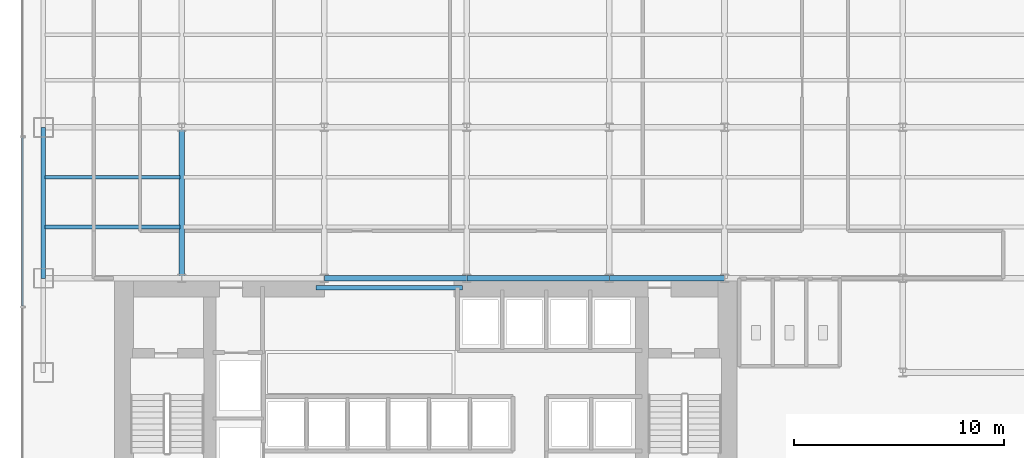
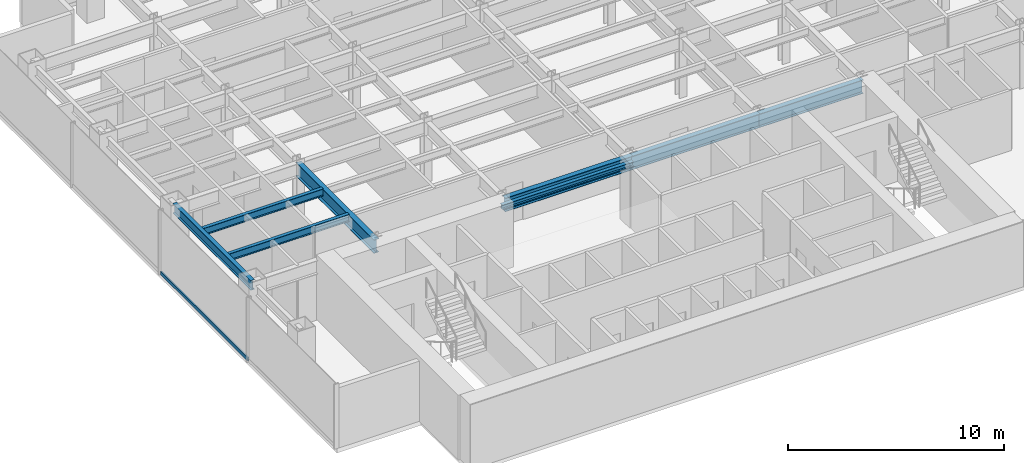
# One storey, part 3 of 23: 8 beams, 1 member, 1 element without a shape of its own.
"""IFC4 building model written with IfcOpenShell, lengths in metres."""

from ifc_helpers import new_model, si_unit, derived_unit, direction, frame, origin, origin_2d, place, context, subcontext, project, spatial, hollow_rectangle, i_section, extrude, source, transform, mapped, material, material_profile, profile_set, type_object, element, aggregate, save


model = new_model("IFC4")

# Units and contexts
model_context = context("Model", 3, precision=1e-05, world=origin(), true_north=direction((0.0, 1.0)))
body_context = subcontext(model_context, "Body", "Model", "MODEL_VIEW")
ifc_project = project(units=[si_unit("LENGTHUNIT", "METRE"), si_unit("AREAUNIT", "SQUARE_METRE"), si_unit("VOLUMEUNIT", "CUBIC_METRE"), si_unit("PLANEANGLEUNIT", "RADIAN"), si_unit("MASSUNIT", "GRAM", prefix="KILO"), derived_unit("THERMALTRANSMITTANCEUNIT", [(si_unit("POWERUNIT", "WATT"), 1), (si_unit("LENGTHUNIT", "METRE"), -2), (si_unit("THERMODYNAMICTEMPERATUREUNIT", "KELVIN"), -1)])], contexts=[model_context])

# Site, building, storey
site_placement = place(None, origin())
site = spatial("IfcSite", under=ifc_project, at=site_placement, CompositionType="ELEMENT")
building_placement = place(site_placement, origin())
building = spatial("IfcBuilding", under=site, at=building_placement, Name="Skarnbrae Concourse Arena and Tower", CompositionType="ELEMENT")
storey_placement = place(building_placement, frame((0.0, 0.0, 47.10009765625)))
storey = spatial("IfcBuildingStorey", under=building, at=storey_placement, Name="L10", CompositionType="ELEMENT", Elevation=47.10009765625)

# Beams
ifc_material_1 = material(Name="Steel CSA G40.21 350W", Category="steel")
ifc_material_profile_1 = material_profile(ifc_material_1, i_section(OverallWidth=0.202880859375, OverallDepth=0.251953125, WebThickness=0.008056640625, FlangeThickness=0.013427734375, at=origin_2d()), Name="W250X58")
ifc_profile_set_1 = profile_set([ifc_material_profile_1], Name="Steel CSA G40.21 350W")
beam_type_1 = type_object("IfcBeamType", Name="BM-LINTEL-W250X58", PredefinedType="LINTEL", material=ifc_profile_set_1)
shared_shape_1 = source(origin(), body_context, "Body", "SweptSolid", [
    extrude(i_section(OverallWidth=0.202880859375, OverallDepth=0.251953125, WebThickness=0.008056640625, FlangeThickness=0.013427734375, at=origin_2d()), origin(), (0.0, 0.0, 1.0), 7.0),
])
beam_1_placement = place(storey_placement, frame((14.0, 13.550048828125, 3.27392578125), z_axis=(1.0, 0.0, 0.0), x_axis=(0.0, 1.0, 0.0)))
element("IfcBeam", 1, at=beam_1_placement, inside=storey, type_object=beam_type_1, Name="L10 Core portal coupling lintel", PredefinedType="LINTEL", context=body_context, shape_type="MappedRepresentation", body=[
    mapped(shared_shape_1, transform((0.0, 0.0, 0.0))),
])
ifc_material_profile_2 = material_profile(ifc_material_1, i_section(OverallWidth=0.26806640625, OverallDepth=0.77001953125, WebThickness=0.015625, FlangeThickness=0.025390625, at=origin_2d()), Name="W760X196")
ifc_profile_set_2 = profile_set([ifc_material_profile_2], Name="Steel CSA G40.21 350W")
beam_type_2 = type_object("IfcBeamType", Name="BM-GIRD-W760X196", PredefinedType="BEAM", material=ifc_profile_set_2)
shared_shape_2 = source(origin(), body_context, "Body", "SweptSolid", [
    extrude(i_section(OverallWidth=0.26806640625, OverallDepth=0.77001953125, WebThickness=0.015625, FlangeThickness=0.025390625, at=origin_2d()), origin(), (0.0, 0.0, 1.0), 6.800048828125),
])
for number, where, z_axis, x_axis, name in (
    (2, (14.39990234375, 14.0, 3.014892578125), (1.0, 0.0, 0.0), (0.0, 1.0, 0.0), "L10 Primary E-W girder Y14.0-3"),
    (3, (21.199951171875, 14.0, 3.014892578125), (1.0, 0.0, 0.0), (0.0, 1.0, 0.0), "L10 Primary E-W girder Y14.0-4"),
):
    element("IfcBeam", number, at=place(storey_placement, frame(where, z_axis=z_axis, x_axis=x_axis)), inside=storey, type_object=beam_type_2, Name=name, PredefinedType="BEAM", context=body_context, shape_type="MappedRepresentation", body=[
        mapped(shared_shape_2, transform((0.0, 0.0, 0.0))),
    ])
shared_shape_3 = source(origin(), body_context, "Body", "SweptSolid", [
    extrude(i_section(OverallWidth=0.26806640625, OverallDepth=0.77001953125, WebThickness=0.015625, FlangeThickness=0.025390625, at=origin_2d()), origin(), (0.0, 0.0, 1.0), 5.5),
])
beam_2_placement = place(storey_placement, frame((28.0, 14.0, 3.014892578125), z_axis=(1.0, 0.0, 0.0), x_axis=(0.0, 1.0, 0.0)))
element("IfcBeam", 4, at=beam_2_placement, inside=storey, type_object=beam_type_2, Name="L10 Primary E-W girder Y14.0-5", PredefinedType="BEAM", context=body_context, shape_type="MappedRepresentation", body=[
    mapped(shared_shape_3, transform((0.0, 0.0, 0.0))),
])
ifc_material_profile_3 = material_profile(ifc_material_1, i_section(OverallWidth=0.214111328125, OverallDepth=0.549072265625, WebThickness=0.0146484375, FlangeThickness=0.023681640625, at=origin_2d()), Name="W530X138")
ifc_profile_set_3 = profile_set([ifc_material_profile_3], Name="Steel CSA G40.21 350W")
beam_type_3 = type_object("IfcBeamType", Name="BM-SPAN-W530X138", PredefinedType="SPANDREL", material=ifc_profile_set_3)
shared_shape_4 = source(origin(), body_context, "Body", "SweptSolid", [
    extrude(i_section(OverallWidth=0.214111328125, OverallDepth=0.549072265625, WebThickness=0.0146484375, FlangeThickness=0.023681640625, at=origin_2d()), origin(), (0.0, 0.0, 1.0), 7.199951171875),
])
beam_3_placement = place(storey_placement, frame((1.0, 14.0, 3.12548828125), z_axis=(0.0, 1.0, 0.0), x_axis=(-1.0, 0.0, 0.0)))
element("IfcBeam", 5, at=beam_3_placement, inside=storey, type_object=beam_type_3, Name="L10 Perimeter spandrel X1.0-2", PredefinedType="SPANDREL", context=body_context, shape_type="MappedRepresentation", body=[
    mapped(shared_shape_4, transform((0.0, 0.0, 0.0))),
])
shared_shape_5 = source(origin(), body_context, "Body", "SweptSolid", [
    extrude(i_section(OverallWidth=0.26806640625, OverallDepth=0.77001953125, WebThickness=0.015625, FlangeThickness=0.025390625, at=origin_2d()), origin(), (0.0, 0.0, 1.0), 7.199951171875),
])
beam_4_placement = place(storey_placement, frame((7.60009765625, 14.0, 3.014892578125), z_axis=(0.0, 1.0, 0.0), x_axis=(-1.0, 0.0, 0.0)))
element("IfcBeam", 6, at=beam_4_placement, inside=storey, type_object=beam_type_2, Name="L10 Primary N-S girder X7.6-1", PredefinedType="BEAM", context=body_context, shape_type="MappedRepresentation", body=[
    mapped(shared_shape_5, transform((0.0, 0.0, 0.0))),
])
ifc_material_profile_4 = material_profile(ifc_material_1, i_section(OverallWidth=0.180908203125, OverallDepth=0.4169921875, WebThickness=0.010986328125, FlangeThickness=0.018310546875, at=origin_2d()), Name="W410X85")
ifc_profile_set_4 = profile_set([ifc_material_profile_4], Name="Steel CSA G40.21 350W")
beam_type_4 = type_object("IfcBeamType", Name="BM-JOIST-W410X85", PredefinedType="JOIST", material=ifc_profile_set_4)
shared_shape_6 = source(origin(), body_context, "Body", "SweptSolid", [
    extrude(i_section(OverallWidth=0.180908203125, OverallDepth=0.4169921875, WebThickness=0.010986328125, FlangeThickness=0.018310546875, at=origin_2d()), origin(), (0.0, 0.0, 1.0), 6.43994140625),
])
for number, where, z_axis, x_axis, name in (
    (7, (1.080078125, 16.447998046875, 3.19140625), (1.0, 0.0, 0.0), (0.0, 1.0, 0.0), "L10 Secondary floor joist 1.1.1"),
    (8, (1.080078125, 18.823974609375, 3.19140625), (1.0, 0.0, 0.0), (0.0, 1.0, 0.0), "L10 Secondary floor joist 1.2.1"),
):
    element("IfcBeam", number, at=place(storey_placement, frame(where, z_axis=z_axis, x_axis=x_axis)), inside=storey, type_object=beam_type_4, Name=name, PredefinedType="JOIST", context=body_context, shape_type="MappedRepresentation", body=[
        mapped(shared_shape_6, transform((0.0, 0.0, 0.0))),
    ])

# Curtain wall, member
ifc_material_2 = material(Name="Bronze anodised aluminium 6063-T6", Category="aluminium")
curtain_wall_type = type_object("IfcCurtainWallType", Name="CW-SYS-02-LOWZONE", PredefinedType="USERDEFINED", material=ifc_material_2)
curtain_wall_placement = place(storey_placement, origin())
curtain_wall = element("IfcCurtainWall", 9, at=curtain_wall_placement, inside=storey, type_object=curtain_wall_type, Name="L10 Unitised curtain wall CW-L10-E19", ObjectType="UNITISED CURTAIN WALL", PredefinedType="USERDEFINED")
ifc_material_profile_5 = material_profile(ifc_material_2, hollow_rectangle(XDim=0.080078125, YDim=0.18994140625, WallThickness=0.0048828125, at=origin_2d()), Name="ALU-TRAN-80X190")
ifc_profile_set_5 = profile_set([ifc_material_profile_5], Name="Bronze anodised aluminium 6063-T6")
member_type = type_object("IfcMemberType", Name="CWT-CW-02", PredefinedType="USERDEFINED", material=ifc_profile_set_5)
shared_shape_7 = source(origin(), body_context, "Body", "SweptSolid", [
    extrude(hollow_rectangle(XDim=0.080078125, YDim=0.18994140625, WallThickness=0.0048828125, at=origin_2d()), origin(), (0.0, 0.0, 1.0), 8.044921875),
])
member_placement = place(storey_placement, frame((0.0, 20.7099609375, 0.094970703125), z_axis=(0.0, -1.0, 0.0), x_axis=(1.0, 0.0, 0.0)))
member = element("IfcMember", 10, at=member_placement, type_object=member_type, Name="CW-L10-E19 Transom 3", ObjectType="TRANSOM", PredefinedType="USERDEFINED", context=body_context, shape_type="MappedRepresentation", body=[
    mapped(shared_shape_7, transform((0.0, 0.0, 0.0))),
])
aggregate(curtain_wall, [member])

save(model, "model.ifc")
